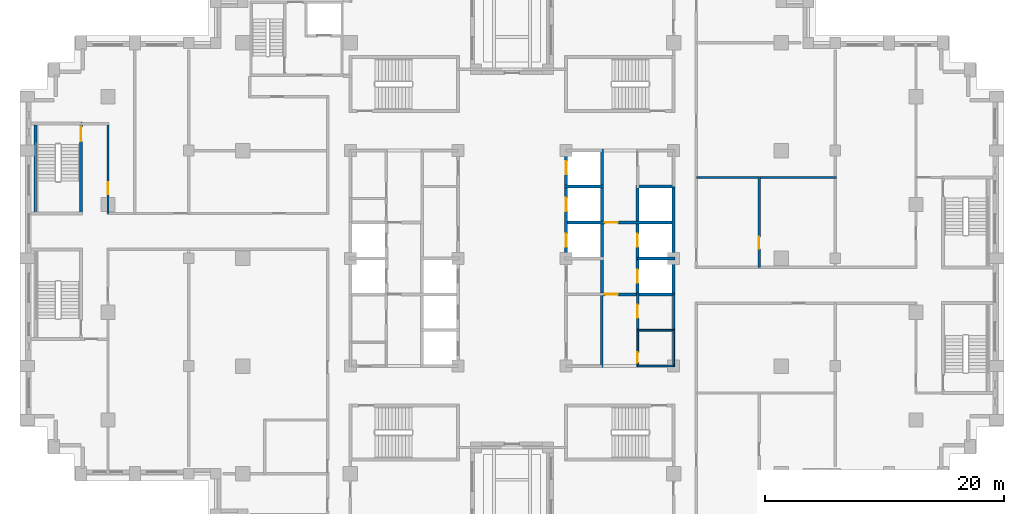
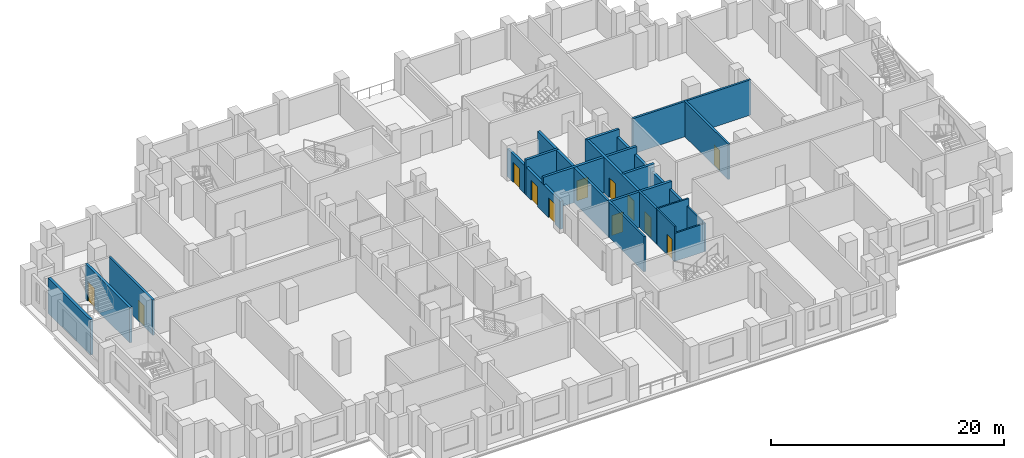
# One storey, part 6 of 13: 21 walls, 12 doors, 12 openings.
"""IFC4 building model written with IfcOpenShell, lengths in metres."""

from ifc_helpers import new_model, si_unit, direction, frame, frame_2d, origin, place, context, subcontext, project, spatial, rectangle, extrude, material, layer, layer_set, type_object, element, fill, save


model = new_model("IFC4")

# Units and contexts
model_context = context("Model", 3, precision=1e-05, world=origin(), true_north=direction((0.0, 1.0)))
body_context = subcontext(model_context, "Body", "Model", "MODEL_VIEW")
ifc_project = project(units=[si_unit("LENGTHUNIT", "METRE"), si_unit("AREAUNIT", "SQUARE_METRE"), si_unit("VOLUMEUNIT", "CUBIC_METRE"), si_unit("PLANEANGLEUNIT", "RADIAN"), si_unit("MASSUNIT", "GRAM", prefix="KILO")], contexts=[model_context])

# Site, building, storey
site_placement = place(None, origin())
site = spatial("IfcSite", under=ifc_project, at=site_placement, CompositionType="ELEMENT")
building_placement = place(site_placement, origin())
building = spatial("IfcBuilding", under=site, at=building_placement, Name="Corbelhall Arena Tower", CompositionType="ELEMENT")
storey_placement = place(building_placement, frame((0.0, 0.0, 68.0)))
storey = spatial("IfcBuildingStorey", under=building, at=storey_placement, Name="L09", CompositionType="ELEMENT", Elevation=68.0)

# Wall, opening, door
ifc_material_1 = material(Name="Gypsum board on steel stud, acoustic", Category="steel")
ifc_layer_1 = layer(ifc_material_1, 0.199951171875)
ifc_layer_set_1 = layer_set([ifc_layer_1], Name="IN-W-DM200")
wall_type_1 = type_object("IfcWallType", Name="IN-W-DM200", PredefinedType="PARTITIONING", material=ifc_layer_set_1)
wall_1_placement = place(storey_placement, frame((-33.75, 11.25, 0.0), z_axis=(0.0, 0.0, 1.0), x_axis=(0.0, -1.0, 0.0)))
wall_1 = element("IfcWall", 1, at=wall_1_placement, inside=storey, type_object=wall_type_1, Name="Partition 004", PredefinedType="PARTITIONING", context=body_context, shape_type="SweptSolid", body=[
    extrude(rectangle(XDim=7.5, YDim=0.199951171875, at=frame_2d((3.75, 0.0))), origin(), (0.0, 0.0, 1.0), 3.699951171875),
])
opening_1_placement = place(wall_1_placement, frame((4.89990234375, 0.0, 0.0)))
opening_1 = element("IfcOpeningElement", 2, at=opening_1_placement, cuts=wall_1, Name="Opening 01040", PredefinedType="OPENING", context=body_context, shape_type="SweptSolid", body=[
    extrude(rectangle(XDim=1.0, YDim=2.10009765625, at=frame_2d((0.5, 1.050048828125))), frame((0.0, 0.10009765625, 0.0), z_axis=(0.0, -1.0, 0.0), x_axis=(1.0, 0.0, 0.0)), (0.0, 0.0, 1.0), 0.199951171875),
])
ifc_material_2 = material(Name="Steel door set", Category="steel")
door_type_1 = type_object("IfcDoorType", Name="IN-D-SW100", OperationType="NOTDEFINED", PredefinedType="DOOR", material=ifc_material_2)
door_1_placement = place(opening_1_placement, origin())
door_1 = element("IfcDoor", 3, at=door_1_placement, inside=storey, type_object=door_type_1, Name="Door 040", OperationType="SINGLE_SWING_LEFT", OverallHeight=2.10009765625, OverallWidth=1.0, PredefinedType="DOOR", context=body_context, shape_type="SweptSolid", body=[
    extrude(rectangle(XDim=1.0, YDim=2.10009765625, at=frame_2d((0.5, 1.050048828125))), frame((0.0, 0.02490234375, 0.0), z_axis=(0.0, -1.0, 0.0), x_axis=(1.0, 0.0, 0.0)), (0.0, 0.0, 1.0), 0.050048828125),
])
fill(opening_1, door_1)

# Wall
wall_2_placement = place(storey_placement, frame((15.39990234375, 6.75, 0.0), z_axis=(0.0, 0.0, 1.0), x_axis=(1.0, 0.0, 0.0)))
element("IfcWall", 4, at=wall_2_placement, inside=storey, type_object=wall_type_1, Name="Partition 034", PredefinedType="PARTITIONING", context=body_context, shape_type="SweptSolid", body=[
    extrude(rectangle(XDim=11.7001953125, YDim=0.199951171875, at=frame_2d((5.85009765625, 0.0))), origin(), (0.0, 0.0, 1.0), 3.699951171875),
])

# Wall, opening, door
wall_3_placement = place(storey_placement, frame((20.64990234375, 6.85009765625, 0.0), z_axis=(0.0, 0.0, 1.0), x_axis=(0.0, -1.0, 0.0)))
wall_3 = element("IfcWall", 5, at=wall_3_placement, inside=storey, type_object=wall_type_1, Name="Partition 038", PredefinedType="PARTITIONING", context=body_context, shape_type="SweptSolid", body=[
    extrude(rectangle(XDim=7.60009765625, YDim=0.199951171875, at=frame_2d((3.800048828125, 0.0))), origin(), (0.0, 0.0, 1.0), 3.699951171875),
])
opening_2_placement = place(wall_3_placement, frame((5.050048828125, 0.0, 0.0)))
opening_2 = element("IfcOpeningElement", 6, at=opening_2_placement, cuts=wall_3, Name="Opening 01034", PredefinedType="OPENING", context=body_context, shape_type="SweptSolid", body=[
    extrude(rectangle(XDim=1.0, YDim=2.10009765625, at=frame_2d((0.5, 1.050048828125))), frame((0.0, 0.10009765625, 0.0), z_axis=(0.0, -1.0, 0.0), x_axis=(1.0, 0.0, 0.0)), (0.0, 0.0, 1.0), 0.199951171875),
])
door_2_placement = place(opening_2_placement, origin())
door_2 = element("IfcDoor", 7, at=door_2_placement, inside=storey, type_object=door_type_1, Name="Door 034", OperationType="SINGLE_SWING_LEFT", OverallHeight=2.10009765625, OverallWidth=1.0, PredefinedType="DOOR", context=body_context, shape_type="SweptSolid", body=[
    extrude(rectangle(XDim=1.0, YDim=2.10009765625, at=frame_2d((0.5, 1.050048828125))), frame((0.0, 0.02490234375, 0.0), z_axis=(0.0, -1.0, 0.0), x_axis=(1.0, 0.0, 0.0)), (0.0, 0.0, 1.0), 0.050048828125),
])
fill(opening_2, door_2)

# Wall
ifc_material_3 = material(Name="Concrete block wall", Category="concrete")
ifc_layer_2 = layer(ifc_material_3, 0.199951171875)
ifc_layer_set_2 = layer_set([ifc_layer_2], Name="IN-W-RS200")
wall_type_2 = type_object("IfcWallType", Name="IN-W-RS200", PredefinedType="SOLIDWALL", material=ifc_layer_set_2)
wall_4_placement = place(storey_placement, frame((7.5, -2.875, 0.0), z_axis=(0.0, 0.0, 1.0), x_axis=(0.0, -1.0, 0.0)))
element("IfcWall", 8, at=wall_4_placement, inside=storey, type_object=wall_type_2, Name="Partition 058", PredefinedType="SOLIDWALL", context=body_context, shape_type="SweptSolid", body=[
    extrude(rectangle(XDim=6.22509765625, YDim=0.199951171875, at=frame_2d((3.112548828125, 0.0))), origin(), (0.0, 0.0, 1.0), 3.699951171875),
])

# Wall, opening, door
wall_5_placement = place(storey_placement, frame((10.5, -2.875, 0.0), z_axis=(0.0, 0.0, 1.0), x_axis=(0.0, -1.0, 0.0)))
wall_5 = element("IfcWall", 9, at=wall_5_placement, inside=storey, type_object=wall_type_2, Name="Partition 059", PredefinedType="SOLIDWALL", context=body_context, shape_type="SweptSolid", body=[
    extrude(rectangle(XDim=3.199951171875, YDim=0.199951171875, at=frame_2d((1.60009765625, 0.0))), origin(), (0.0, 0.0, 1.0), 3.699951171875),
])
opening_3_placement = place(wall_5_placement, frame((1.0, 0.0, 0.0)))
opening_3 = element("IfcOpeningElement", 10, at=opening_3_placement, cuts=wall_5, Name="Opening 01013", PredefinedType="OPENING", context=body_context, shape_type="SweptSolid", body=[
    extrude(rectangle(XDim=1.10009765625, YDim=2.10009765625, at=frame_2d((0.550048828125, 1.050048828125))), frame((0.0, 0.10009765625, 0.0), z_axis=(0.0, -1.0, 0.0), x_axis=(1.0, 0.0, 0.0)), (0.0, 0.0, 1.0), 0.199951171875),
])
door_type_2 = type_object("IfcDoorType", Name="IN-D-FD110", OperationType="NOTDEFINED", PredefinedType="DOOR", material=ifc_material_2)
door_3_placement = place(opening_3_placement, origin())
door_3 = element("IfcDoor", 11, at=door_3_placement, inside=storey, type_object=door_type_2, Name="Door 013", OperationType="SINGLE_SWING_RIGHT", OverallHeight=2.10009765625, OverallWidth=1.10009765625, PredefinedType="DOOR", context=body_context, shape_type="SweptSolid", body=[
    extrude(rectangle(XDim=1.10009765625, YDim=2.10009765625, at=frame_2d((0.550048828125, 1.050048828125))), frame((0.0, 0.02490234375, 0.0), z_axis=(0.0, -1.0, 0.0), x_axis=(1.0, 0.0, 0.0)), (0.0, 0.0, 1.0), 0.050048828125),
])
fill(opening_3, door_3)

# Wall
ifc_layer_3 = layer(ifc_material_3, 0.199951171875)
ifc_layer_set_3 = layer_set([ifc_layer_3], Name="IN-W-RS200 under beam 762 mm")
wall_type_3 = type_object("IfcWallType", Name="IN-W-RS200 under beam 762 mm", PredefinedType="SOLIDWALL", material=ifc_layer_set_3)
wall_6_placement = place(storey_placement, frame((13.5, -3.0, 0.0), z_axis=(0.0, 0.0, 1.0), x_axis=(0.0, -1.0, 0.0)))
element("IfcWall", 12, at=wall_6_placement, inside=storey, type_object=wall_type_3, Name="Partition 062", PredefinedType="SOLIDWALL", context=body_context, shape_type="SweptSolid", body=[
    extrude(rectangle(XDim=3.0, YDim=0.199951171875, at=frame_2d((1.5, 0.0))), origin(), (0.0, 0.0, 1.0), 2.93798828125),
])

# Wall, opening, door
ifc_material_4 = material(Name="Concrete C40/50", Category="concrete")
ifc_layer_4 = layer(ifc_material_4, 0.25)
ifc_layer_set_4 = layer_set([ifc_layer_4], Name="IN-W-SH250")
wall_type_4 = type_object("IfcWallType", Name="IN-W-SH250", PredefinedType="SOLIDWALL", material=ifc_layer_set_4)
wall_7_placement = place(storey_placement, frame((4.375, 3.0, 0.0), z_axis=(0.0, 0.0, 1.0), x_axis=(1.0, 0.0, 0.0)))
wall_7 = element("IfcWall", 13, at=wall_7_placement, inside=storey, type_object=wall_type_4, Name="Shaft wall 075", PredefinedType="SOLIDWALL", context=body_context, shape_type="SweptSolid", body=[
    extrude(rectangle(XDim=9.25, YDim=0.25, at=frame_2d((4.625, 0.0))), origin(), (0.0, 0.0, 1.0), 3.699951171875),
])
opening_4_placement = place(wall_7_placement, frame((3.375, 0.0, 0.0)))
opening_4 = element("IfcOpeningElement", 14, at=opening_4_placement, cuts=wall_7, Name="Opening 01011", PredefinedType="OPENING", context=body_context, shape_type="SweptSolid", body=[
    extrude(rectangle(XDim=1.10009765625, YDim=2.10009765625, at=frame_2d((0.550048828125, 1.050048828125))), frame((0.0, 0.125, 0.0), z_axis=(0.0, -1.0, 0.0), x_axis=(1.0, 0.0, 0.0)), (0.0, 0.0, 1.0), 0.25),
])
door_4_placement = place(opening_4_placement, origin())
door_4 = element("IfcDoor", 15, at=door_4_placement, inside=storey, type_object=door_type_2, Name="Door 011", OperationType="SINGLE_SWING_RIGHT", OverallHeight=2.10009765625, OverallWidth=1.10009765625, PredefinedType="DOOR", context=body_context, shape_type="SweptSolid", body=[
    extrude(rectangle(XDim=1.10009765625, YDim=2.10009765625, at=frame_2d((0.550048828125, 1.050048828125))), frame((0.0, 0.02490234375, 0.0), z_axis=(0.0, -1.0, 0.0), x_axis=(1.0, 0.0, 0.0)), (0.0, 0.0, 1.0), 0.050048828125),
])
fill(opening_4, door_4)

# Wall
wall_8_placement = place(storey_placement, frame((4.375, 6.0, 0.0), z_axis=(0.0, 0.0, 1.0), x_axis=(1.0, 0.0, 0.0)))
element("IfcWall", 16, at=wall_8_placement, inside=storey, type_object=wall_type_4, Name="Shaft wall 076", PredefinedType="SOLIDWALL", context=body_context, shape_type="SweptSolid", body=[
    extrude(rectangle(XDim=3.25, YDim=0.25, at=frame_2d((1.625, 0.0))), origin(), (0.0, 0.0, 1.0), 3.699951171875),
])

# Wall, opening, door
wall_9_placement = place(storey_placement, frame((7.5, -3.0, 0.0), z_axis=(0.0, 0.0, 1.0), x_axis=(1.0, 0.0, 0.0)))
wall_9 = element("IfcWall", 17, at=wall_9_placement, inside=storey, type_object=wall_type_4, Name="Shaft wall 079", PredefinedType="SOLIDWALL", context=body_context, shape_type="SweptSolid", body=[
    extrude(rectangle(XDim=6.125, YDim=0.25, at=frame_2d((3.0625, 0.0))), origin(), (0.0, 0.0, 1.0), 3.699951171875),
])
opening_5_placement = place(wall_9_placement, frame((0.25, 0.0, 0.0)))
opening_5 = element("IfcOpeningElement", 18, at=opening_5_placement, cuts=wall_9, Name="Opening 01010", PredefinedType="OPENING", context=body_context, shape_type="SweptSolid", body=[
    extrude(rectangle(XDim=1.10009765625, YDim=2.10009765625, at=frame_2d((0.550048828125, 1.050048828125))), frame((0.0, 0.125, 0.0), z_axis=(0.0, -1.0, 0.0), x_axis=(1.0, 0.0, 0.0)), (0.0, 0.0, 1.0), 0.25),
])
door_5_placement = place(opening_5_placement, origin())
door_5 = element("IfcDoor", 19, at=door_5_placement, inside=storey, type_object=door_type_2, Name="Door 010", OperationType="SINGLE_SWING_LEFT", OverallHeight=2.10009765625, OverallWidth=1.10009765625, PredefinedType="DOOR", context=body_context, shape_type="SweptSolid", body=[
    extrude(rectangle(XDim=1.10009765625, YDim=2.10009765625, at=frame_2d((0.550048828125, 1.050048828125))), frame((0.0, 0.02490234375, 0.0), z_axis=(0.0, -1.0, 0.0), x_axis=(1.0, 0.0, 0.0)), (0.0, 0.0, 1.0), 0.050048828125),
])
fill(opening_5, door_5)

# Walls
wall_10_placement = place(storey_placement, frame((7.5, 9.125, 0.0), z_axis=(0.0, 0.0, 1.0), x_axis=(0.0, -1.0, 0.0)))
element("IfcWall", 20, at=wall_10_placement, inside=storey, type_object=wall_type_4, Name="Shaft wall 080", PredefinedType="SOLIDWALL", context=body_context, shape_type="SweptSolid", body=[
    extrude(rectangle(XDim=12.25, YDim=0.25, at=frame_2d((6.125, 0.0))), origin(), (0.0, 0.0, 1.0), 3.699951171875),
])
wall_11_placement = place(storey_placement, frame((10.5, 0.0, 0.0), z_axis=(0.0, 0.0, 1.0), x_axis=(1.0, 0.0, 0.0)))
element("IfcWall", 21, at=wall_11_placement, inside=storey, type_object=wall_type_4, Name="Shaft wall 081", PredefinedType="SOLIDWALL", context=body_context, shape_type="SweptSolid", body=[
    extrude(rectangle(XDim=3.125, YDim=0.25, at=frame_2d((1.5625, 0.0))), origin(), (0.0, 0.0, 1.0), 3.699951171875),
])

# Wall, openings, doors
wall_12_placement = place(storey_placement, frame((10.5, 6.125, 0.0), z_axis=(0.0, 0.0, 1.0), x_axis=(0.0, -1.0, 0.0)))
wall_12 = element("IfcWall", 22, at=wall_12_placement, inside=storey, type_object=wall_type_4, Name="Shaft wall 082", PredefinedType="SOLIDWALL", context=body_context, shape_type="SweptSolid", body=[
    extrude(rectangle(XDim=9.25, YDim=0.25, at=frame_2d((4.625, 0.0))), origin(), (0.0, 0.0, 1.0), 3.699951171875),
])
opening_6_placement = place(wall_12_placement, frame((7.074951171875, 0.0, 0.0)))
opening_6 = element("IfcOpeningElement", 23, at=opening_6_placement, cuts=wall_12, Name="Opening LD", PredefinedType="OPENING", context=body_context, shape_type="SweptSolid", body=[
    extrude(rectangle(XDim=1.10009765625, YDim=2.10009765625, at=frame_2d((0.550048828125, 1.050048828125))), frame((0.0, 0.125, 0.0), z_axis=(0.0, -1.0, 0.0), x_axis=(1.0, 0.0, 0.0)), (0.0, 0.0, 1.0), 0.25),
])
opening_7_placement = place(wall_12_placement, frame((4.074951171875, 0.0, 0.0)))
opening_7 = element("IfcOpeningElement", 24, at=opening_7_placement, cuts=wall_12, Name="Opening LD", PredefinedType="OPENING", context=body_context, shape_type="SweptSolid", body=[
    extrude(rectangle(XDim=1.10009765625, YDim=2.10009765625, at=frame_2d((0.550048828125, 1.050048828125))), frame((0.0, 0.125, 0.0), z_axis=(0.0, -1.0, 0.0), x_axis=(1.0, 0.0, 0.0)), (0.0, 0.0, 1.0), 0.25),
])
door_type_3 = type_object("IfcDoorType", Name="IN-D-LD110", OperationType="NOTDEFINED", PredefinedType="DOOR", material=ifc_material_2)
door_6_placement = place(opening_6_placement, origin())
door_6 = element("IfcDoor", 25, at=door_6_placement, inside=storey, type_object=door_type_3, Name="Landing door E3", OperationType="SLIDING_TO_LEFT", OverallHeight=2.10009765625, OverallWidth=1.10009765625, PredefinedType="DOOR", context=body_context, shape_type="SweptSolid", body=[
    extrude(rectangle(XDim=1.10009765625, YDim=2.10009765625, at=frame_2d((0.550048828125, 1.050048828125))), frame((0.0, 0.02490234375, 0.0), z_axis=(0.0, -1.0, 0.0), x_axis=(1.0, 0.0, 0.0)), (0.0, 0.0, 1.0), 0.050048828125),
])
fill(opening_6, door_6)
door_7_placement = place(opening_7_placement, origin())
door_7 = element("IfcDoor", 26, at=door_7_placement, inside=storey, type_object=door_type_3, Name="Landing door E4", OperationType="SLIDING_TO_LEFT", OverallHeight=2.10009765625, OverallWidth=1.10009765625, PredefinedType="DOOR", context=body_context, shape_type="SweptSolid", body=[
    extrude(rectangle(XDim=1.10009765625, YDim=2.10009765625, at=frame_2d((0.550048828125, 1.050048828125))), frame((0.0, 0.02490234375, 0.0), z_axis=(0.0, -1.0, 0.0), x_axis=(1.0, 0.0, 0.0)), (0.0, 0.0, 1.0), 0.050048828125),
])
fill(opening_7, door_7)

# Wall
wall_13_placement = place(storey_placement, frame((10.5, 6.0, 0.0), z_axis=(0.0, 0.0, 1.0), x_axis=(1.0, 0.0, 0.0)))
element("IfcWall", 27, at=wall_13_placement, inside=storey, type_object=wall_type_4, Name="Shaft wall 083", PredefinedType="SOLIDWALL", context=body_context, shape_type="SweptSolid", body=[
    extrude(rectangle(XDim=3.125, YDim=0.25, at=frame_2d((1.5625, 0.0))), origin(), (0.0, 0.0, 1.0), 3.699951171875),
])

# Wall, openings, doors
ifc_layer_5 = layer(ifc_material_4, 0.25)
ifc_layer_set_5 = layer_set([ifc_layer_5], Name="IN-W-SH250 under beam 762 mm")
wall_type_5 = type_object("IfcWallType", Name="IN-W-SH250 under beam 762 mm", PredefinedType="SOLIDWALL", material=ifc_layer_set_5)
wall_14_placement = place(storey_placement, frame((4.5, 0.0, 0.0), z_axis=(0.0, 0.0, 1.0), x_axis=(0.0, 1.0, 0.0)))
wall_14 = element("IfcWall", 28, at=wall_14_placement, inside=storey, type_object=wall_type_5, Name="Shaft wall 077", PredefinedType="SOLIDWALL", context=body_context, shape_type="SweptSolid", body=[
    extrude(rectangle(XDim=9.125, YDim=0.25, at=frame_2d((4.5625, 0.0))), origin(), (0.0, 0.0, 1.0), 2.93798828125),
])
opening_8_placement = place(wall_14_placement, frame((0.949951171875, 0.0, 0.0)))
opening_8 = element("IfcOpeningElement", 29, at=opening_8_placement, cuts=wall_14, Name="Opening LD", PredefinedType="OPENING", context=body_context, shape_type="SweptSolid", body=[
    extrude(rectangle(XDim=1.10009765625, YDim=2.10009765625, at=frame_2d((0.550048828125, 1.050048828125))), frame((0.0, 0.125, 0.0), z_axis=(0.0, -1.0, 0.0), x_axis=(1.0, 0.0, 0.0)), (0.0, 0.0, 1.0), 0.25),
])
opening_9_placement = place(wall_14_placement, frame((3.949951171875, 0.0, 0.0)))
opening_9 = element("IfcOpeningElement", 30, at=opening_9_placement, cuts=wall_14, Name="Opening LD", PredefinedType="OPENING", context=body_context, shape_type="SweptSolid", body=[
    extrude(rectangle(XDim=1.10009765625, YDim=2.10009765625, at=frame_2d((0.550048828125, 1.050048828125))), frame((0.0, 0.125, 0.0), z_axis=(0.0, -1.0, 0.0), x_axis=(1.0, 0.0, 0.0)), (0.0, 0.0, 1.0), 0.25),
])
opening_10_placement = place(wall_14_placement, frame((7.012451171875, 0.0, 0.0)))
opening_10 = element("IfcOpeningElement", 31, at=opening_10_placement, cuts=wall_14, Name="Opening LD", PredefinedType="OPENING", context=body_context, shape_type="SweptSolid", body=[
    extrude(rectangle(XDim=1.10009765625, YDim=2.10009765625, at=frame_2d((0.550048828125, 1.050048828125))), frame((0.0, 0.125, 0.0), z_axis=(0.0, -1.0, 0.0), x_axis=(1.0, 0.0, 0.0)), (0.0, 0.0, 1.0), 0.25),
])
door_8_placement = place(opening_8_placement, origin())
door_8 = element("IfcDoor", 32, at=door_8_placement, inside=storey, type_object=door_type_3, Name="Landing door E4", OperationType="SLIDING_TO_LEFT", OverallHeight=2.10009765625, OverallWidth=1.10009765625, PredefinedType="DOOR", context=body_context, shape_type="SweptSolid", body=[
    extrude(rectangle(XDim=1.10009765625, YDim=2.10009765625, at=frame_2d((0.550048828125, 1.050048828125))), frame((0.0, 0.02490234375, 0.0), z_axis=(0.0, -1.0, 0.0), x_axis=(1.0, 0.0, 0.0)), (0.0, 0.0, 1.0), 0.050048828125),
])
fill(opening_8, door_8)
door_9_placement = place(opening_9_placement, origin())
door_9 = element("IfcDoor", 33, at=door_9_placement, inside=storey, type_object=door_type_3, Name="Landing door E5", OperationType="SLIDING_TO_LEFT", OverallHeight=2.10009765625, OverallWidth=1.10009765625, PredefinedType="DOOR", context=body_context, shape_type="SweptSolid", body=[
    extrude(rectangle(XDim=1.10009765625, YDim=2.10009765625, at=frame_2d((0.550048828125, 1.050048828125))), frame((0.0, 0.02490234375, 0.0), z_axis=(0.0, -1.0, 0.0), x_axis=(1.0, 0.0, 0.0)), (0.0, 0.0, 1.0), 0.050048828125),
])
fill(opening_9, door_9)
door_10_placement = place(opening_10_placement, origin())
door_10 = element("IfcDoor", 34, at=door_10_placement, inside=storey, type_object=door_type_3, Name="Landing door E6", OperationType="SLIDING_TO_LEFT", OverallHeight=2.10009765625, OverallWidth=1.10009765625, PredefinedType="DOOR", context=body_context, shape_type="SweptSolid", body=[
    extrude(rectangle(XDim=1.10009765625, YDim=2.10009765625, at=frame_2d((0.550048828125, 1.050048828125))), frame((0.0, 0.02490234375, 0.0), z_axis=(0.0, -1.0, 0.0), x_axis=(1.0, 0.0, 0.0)), (0.0, 0.0, 1.0), 0.050048828125),
])
fill(opening_10, door_10)

# Wall
wall_15_placement = place(storey_placement, frame((13.5, 6.0, 0.0), z_axis=(0.0, 0.0, 1.0), x_axis=(0.0, -1.0, 0.0)))
element("IfcWall", 35, at=wall_15_placement, inside=storey, type_object=wall_type_5, Name="Shaft wall 084", PredefinedType="SOLIDWALL", context=body_context, shape_type="SweptSolid", body=[
    extrude(rectangle(XDim=9.0, YDim=0.25, at=frame_2d((4.5, 0.0))), origin(), (0.0, 0.0, 1.0), 2.93798828125),
])

# Wall, opening, door
ifc_layer_6 = layer(ifc_material_4, 0.25)
ifc_layer_set_6 = layer_set([ifc_layer_6], Name="IN-W-ST250")
wall_type_6 = type_object("IfcWallType", Name="IN-W-ST250", PredefinedType="SOLIDWALL", material=ifc_layer_set_6)
wall_16_placement = place(storey_placement, frame((-36.0, 11.375, 0.0), z_axis=(0.0, 0.0, 1.0), x_axis=(0.0, -1.0, 0.0)))
wall_16 = element("IfcWall", 36, at=wall_16_placement, inside=storey, type_object=wall_type_6, Name="Shaft wall 089", PredefinedType="SOLIDWALL", context=body_context, shape_type="SweptSolid", body=[
    extrude(rectangle(XDim=7.625, YDim=0.25, at=frame_2d((3.8125, 0.0))), origin(), (0.0, 0.0, 1.0), 3.699951171875),
])
opening_11_placement = place(wall_16_placement, frame((0.39990234375, 0.0, 0.0)))
opening_11 = element("IfcOpeningElement", 37, at=opening_11_placement, cuts=wall_16, Name="Opening 01019", PredefinedType="OPENING", context=body_context, shape_type="SweptSolid", body=[
    extrude(rectangle(XDim=1.199951171875, YDim=2.10009765625, at=frame_2d((0.60009765625, 1.050048828125))), frame((0.0, 0.125, 0.0), z_axis=(0.0, -1.0, 0.0), x_axis=(1.0, 0.0, 0.0)), (0.0, 0.0, 1.0), 0.25),
])
door_type_4 = type_object("IfcDoorType", Name="IN-D-ST120", OperationType="NOTDEFINED", PredefinedType="DOOR", material=ifc_material_2)
door_11_placement = place(opening_11_placement, origin())
door_11 = element("IfcDoor", 38, at=door_11_placement, inside=storey, type_object=door_type_4, Name="Door 019", OperationType="SINGLE_SWING_RIGHT", OverallHeight=2.10009765625, OverallWidth=1.199951171875, PredefinedType="DOOR", context=body_context, shape_type="SweptSolid", body=[
    extrude(rectangle(XDim=1.199951171875, YDim=2.10009765625, at=frame_2d((0.60009765625, 1.050048828125))), frame((0.0, 0.02490234375, 0.0), z_axis=(0.0, -1.0, 0.0), x_axis=(1.0, 0.0, 0.0)), (0.0, 0.0, 1.0), 0.050048828125),
])
fill(opening_11, door_11)

# Walls
wall_17_placement = place(storey_placement, frame((-39.824951171875, 3.875, 0.0), z_axis=(0.0, 0.0, 1.0), x_axis=(0.0, 1.0, 0.0)))
element("IfcWall", 39, at=wall_17_placement, inside=storey, type_object=wall_type_6, Name="Shaft wall SC1 facade side", PredefinedType="SOLIDWALL", context=body_context, shape_type="SweptSolid", body=[
    extrude(rectangle(XDim=7.25, YDim=0.25, at=frame_2d((3.625, 0.0))), origin(), (0.0, 0.0, 1.0), 3.699951171875),
])
ifc_material_5 = material(Name="Gypsum board on steel stud, moisture resistant", Category="steel")
ifc_layer_7 = layer(ifc_material_5, 0.14990234375)
ifc_layer_set_7 = layer_set([ifc_layer_7], Name="IN-W-WC150")
wall_type_7 = type_object("IfcWallType", Name="IN-W-WC150", PredefinedType="PARTITIONING", material=ifc_layer_set_7)
wall_18_placement = place(storey_placement, frame((10.5, -6.0, 0.0), z_axis=(0.0, 0.0, 1.0), x_axis=(1.0, 0.0, 0.0)))
element("IfcWall", 40, at=wall_18_placement, inside=storey, type_object=wall_type_7, Name="Partition 120", PredefinedType="PARTITIONING", context=body_context, shape_type="SweptSolid", body=[
    extrude(rectangle(XDim=3.10009765625, YDim=0.14990234375, at=frame_2d((1.550048828125, 0.0))), origin(), (0.0, 0.0, 1.0), 3.699951171875),
])

# Wall, opening, door
wall_19_placement = place(storey_placement, frame((10.5, -5.925048828125, 0.0), z_axis=(0.0, 0.0, 1.0), x_axis=(0.0, -1.0, 0.0)))
wall_19 = element("IfcWall", 41, at=wall_19_placement, inside=storey, type_object=wall_type_7, Name="Partition 121", PredefinedType="PARTITIONING", context=body_context, shape_type="SweptSolid", body=[
    extrude(rectangle(XDim=3.14990234375, YDim=0.14990234375, at=frame_2d((1.574951171875, 0.0))), origin(), (0.0, 0.0, 1.0), 3.699951171875),
])
opening_12_placement = place(wall_19_placement, frame((1.89990234375, 0.0, 0.0)))
opening_12 = element("IfcOpeningElement", 42, at=opening_12_placement, cuts=wall_19, Name="Opening 01012", PredefinedType="OPENING", context=body_context, shape_type="SweptSolid", body=[
    extrude(rectangle(XDim=0.89990234375, YDim=2.10009765625, at=frame_2d((0.449951171875, 1.050048828125))), frame((0.0, 0.074951171875, 0.0), z_axis=(0.0, -1.0, 0.0), x_axis=(1.0, 0.0, 0.0)), (0.0, 0.0, 1.0), 0.14990234375),
])
ifc_material_6 = material(Name="Timber door set", Category="wood")
door_type_5 = type_object("IfcDoorType", Name="IN-D-SW90", OperationType="NOTDEFINED", PredefinedType="DOOR", material=ifc_material_6)
door_12_placement = place(opening_12_placement, origin())
door_12 = element("IfcDoor", 43, at=door_12_placement, inside=storey, type_object=door_type_5, Name="Door 012", OperationType="SINGLE_SWING_LEFT", OverallHeight=2.10009765625, OverallWidth=0.89990234375, PredefinedType="DOOR", context=body_context, shape_type="SweptSolid", body=[
    extrude(rectangle(XDim=0.89990234375, YDim=2.10009765625, at=frame_2d((0.449951171875, 1.050048828125))), frame((0.0, 0.02490234375, 0.0), z_axis=(0.0, -1.0, 0.0), x_axis=(1.0, 0.0, 0.0)), (0.0, 0.0, 1.0), 0.050048828125),
])
fill(opening_12, door_12)

# Walls
ifc_layer_8 = layer(ifc_material_5, 0.14990234375)
ifc_layer_set_8 = layer_set([ifc_layer_8], Name="IN-W-WC150 under beam 762 mm")
wall_type_8 = type_object("IfcWallType", Name="IN-W-WC150 under beam 762 mm", PredefinedType="PARTITIONING", material=ifc_layer_set_8)
wall_20_placement = place(storey_placement, frame((13.5, -9.0, 0.0), z_axis=(0.0, 0.0, 1.0), x_axis=(-1.0, 0.0, 0.0)))
element("IfcWall", 44, at=wall_20_placement, inside=storey, type_object=wall_type_8, Name="Partition 122", PredefinedType="PARTITIONING", context=body_context, shape_type="SweptSolid", body=[
    extrude(rectangle(XDim=3.0, YDim=0.14990234375, at=frame_2d((1.5, 0.0))), origin(), (0.0, 0.0, 1.0), 2.93798828125),
])
wall_21_placement = place(storey_placement, frame((13.5, -6.0, 0.0), z_axis=(0.0, 0.0, 1.0), x_axis=(0.0, -1.0, 0.0)))
element("IfcWall", 45, at=wall_21_placement, inside=storey, type_object=wall_type_8, Name="Partition 123", PredefinedType="PARTITIONING", context=body_context, shape_type="SweptSolid", body=[
    extrude(rectangle(XDim=3.074951171875, YDim=0.14990234375, at=frame_2d((1.53759765625, 0.0))), origin(), (0.0, 0.0, 1.0), 2.93798828125),
])

save(model, "model.ifc")
